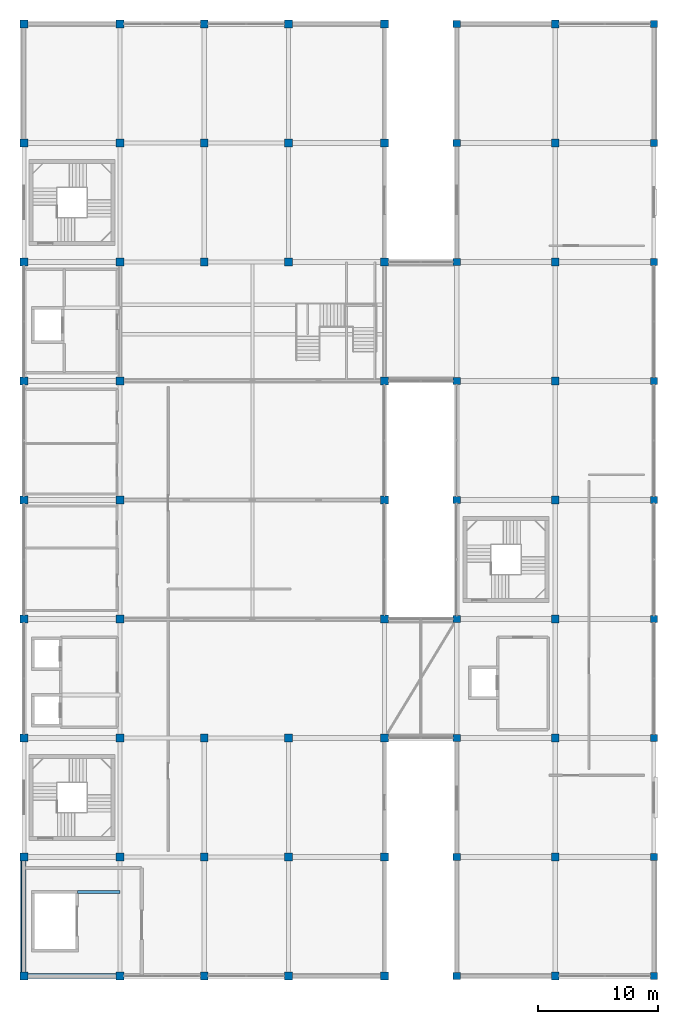
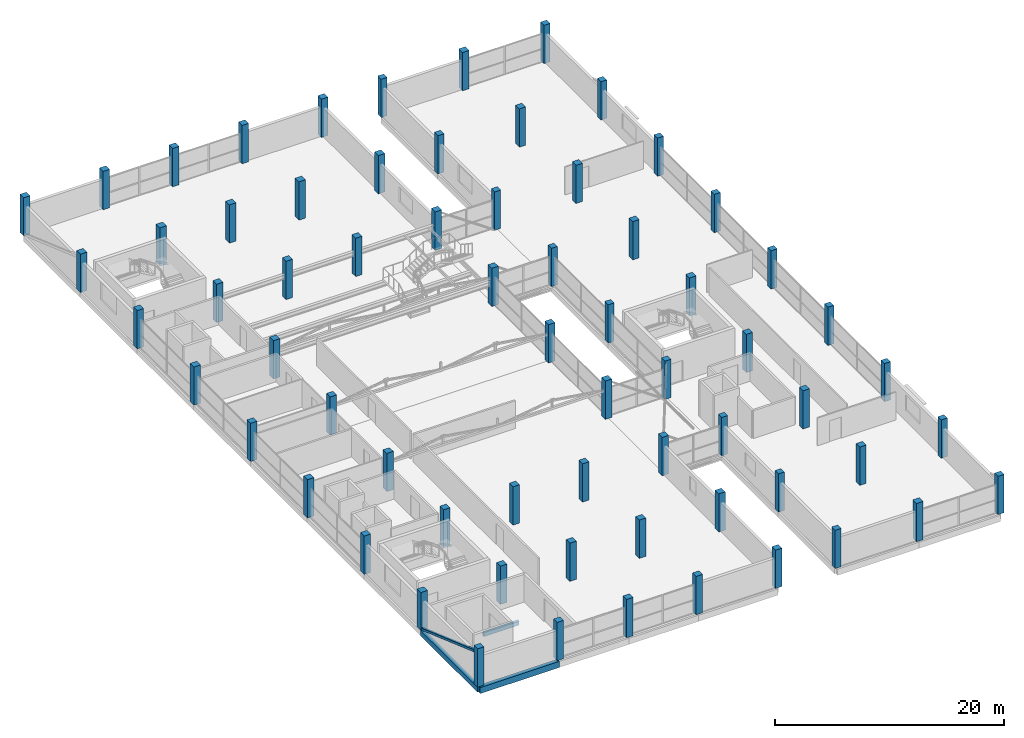
# One storey, part 1 of 70: 66 columns, 3 beams, 1 member.
"""IFC4 building model written with IfcOpenShell, lengths in metres."""

from ifc_helpers import new_model, si_unit, direction, frame, origin, origin_2d, place, context, subcontext, project, spatial, rectangle, hollow_rectangle, extrude, material, material_profile, profile_set, type_object, element, save


model = new_model("IFC4")

# Units and contexts
model_context = context("Model", 3, precision=1e-05, world=origin(), true_north=direction((0.0, 1.0)))
body_context = subcontext(model_context, "Body", "Model", "MODEL_VIEW")
ifc_project = project(units=[si_unit("LENGTHUNIT", "METRE"), si_unit("AREAUNIT", "SQUARE_METRE"), si_unit("VOLUMEUNIT", "CUBIC_METRE"), si_unit("PLANEANGLEUNIT", "RADIAN"), si_unit("MASSUNIT", "GRAM", prefix="KILO")], contexts=[model_context])

# Site, building, storey
site_placement = place(None, origin())
site = spatial("IfcSite", under=ifc_project, at=site_placement, CompositionType="ELEMENT")
building_placement = place(site_placement, origin())
building = spatial("IfcBuilding", under=site, at=building_placement, Name="Sillaruma Civic Art Gallery", CompositionType="ELEMENT")
storey_placement = place(building_placement, frame((0.0, 0.0, 66.300048828125)))
storey = spatial("IfcBuildingStorey", under=building, at=storey_placement, Name="L13", CompositionType="ELEMENT", Elevation=66.300048828125)

# Columns
ifc_material_1 = material(Name="Concrete H40 (40 MPa)", Category="concrete")
ifc_material_profile_1 = material_profile(ifc_material_1, rectangle(XDim=0.60009765625, YDim=0.60009765625, at=origin_2d()), Name="RC600x600")
ifc_profile_set_1 = profile_set([ifc_material_profile_1], Name="Concrete H40 (40 MPa)")
column_type_1 = type_object("IfcColumnType", Name="COL-COLUMN-RC600x600", PredefinedType="COLUMN", material=ifc_profile_set_1)
for number, where, z_axis, x_axis, name in (
    (1, (98.0, 19.800048828125, 0.0), (0.0, 0.0, 1.0), (1.0, 0.0, 0.0), "Column C-08 (L13:L3)"),
    (2, (98.0, 29.699951171875, 0.0), (0.0, 0.0, 1.0), (1.0, 0.0, 0.0), "Column C-08 (L13:L4)"),
    (3, (98.0, 39.60009765625, 0.0), (0.0, 0.0, 1.0), (1.0, 0.0, 0.0), "Column C-08 (L13:L5)"),
    (4, (98.0, 49.5, 0.0), (0.0, 0.0, 1.0), (1.0, 0.0, 0.0), "Column C-08 (L13:L6)"),
    (5, (98.0, 59.39990234375, 0.0), (0.0, 0.0, 1.0), (1.0, 0.0, 0.0), "Column C-08 (L13:L7)"),
    (6, (98.0, 69.300048828125, 0.0), (0.0, 0.0, 1.0), (1.0, 0.0, 0.0), "Column C-08 (L13:L8)"),
    (7, (98.0, 79.199951171875, 0.0), (0.0, 0.0, 1.0), (1.0, 0.0, 0.0), "Column C-08 (L13:L9)"),
    (8, (98.0, 89.10009765625, 0.0), (0.0, 0.0, 1.0), (1.0, 0.0, 0.0), "Column C-08 (L13:L10)"),
    (9, (98.0, 99.0, 0.0), (0.0, 0.0, 1.0), (1.0, 0.0, 0.0), "Column C-08 (L13:L11)"),
    (10, (114.39990234375, 19.800048828125, 0.0), (0.0, 0.0, 1.0), (1.0, 0.0, 0.0), "Column C-08 (L13:N3)"),
    (11, (114.39990234375, 29.699951171875, 0.0), (0.0, 0.0, 1.0), (1.0, 0.0, 0.0), "Column C-08 (L13:N4)"),
    (12, (114.39990234375, 39.60009765625, 0.0), (0.0, 0.0, 1.0), (1.0, 0.0, 0.0), "Column C-08 (L13:N5)"),
    (13, (114.39990234375, 49.5, 0.0), (0.0, 0.0, 1.0), (1.0, 0.0, 0.0), "Column C-08 (L13:N6)"),
    (14, (114.39990234375, 59.39990234375, 0.0), (0.0, 0.0, 1.0), (1.0, 0.0, 0.0), "Column C-08 (L13:N7)"),
    (15, (114.39990234375, 69.300048828125, 0.0), (0.0, 0.0, 1.0), (1.0, 0.0, 0.0), "Column C-08 (L13:N8)"),
    (16, (114.39990234375, 79.199951171875, 0.0), (0.0, 0.0, 1.0), (1.0, 0.0, 0.0), "Column C-08 (L13:N9)"),
    (17, (114.39990234375, 89.10009765625, 0.0), (0.0, 0.0, 1.0), (1.0, 0.0, 0.0), "Column C-08 (L13:N10)"),
    (18, (114.39990234375, 99.0, 0.0), (0.0, 0.0, 1.0), (1.0, 0.0, 0.0), "Column C-08 (L13:N11)"),
):
    element("IfcColumn", number, at=place(storey_placement, frame(where, z_axis=z_axis, x_axis=x_axis)), inside=storey, type_object=column_type_1, Name=name, PredefinedType="COLUMN", context=body_context, shape_type="SweptSolid", body=[
        extrude(rectangle(XDim=0.60009765625, YDim=0.60009765625, at=origin_2d()), origin(), (0.0, 0.0, 1.0), 4.079833984375),
    ])
ifc_material_profile_2 = material_profile(ifc_material_1, rectangle(XDim=0.64990234375, YDim=0.64990234375, at=origin_2d()), Name="RC650x650")
ifc_profile_set_2 = profile_set([ifc_material_profile_2], Name="Concrete H40 (40 MPa)")
column_type_2 = type_object("IfcColumnType", Name="COL-COLUMN-RC650x650", PredefinedType="COLUMN", material=ifc_profile_set_2)
for number, where, z_axis, x_axis, name in (
    (19, (62.0, 19.800048828125, 0.0), (0.0, 0.0, 1.0), (1.0, 0.0, 0.0), "Column C-07 (L13:F3)"),
    (20, (62.0, 29.699951171875, 0.0), (0.0, 0.0, 1.0), (1.0, 0.0, 0.0), "Column C-07 (L13:F4)"),
    (21, (62.0, 39.60009765625, 0.0), (0.0, 0.0, 1.0), (1.0, 0.0, 0.0), "Column C-07 (L13:F5)"),
    (22, (62.0, 49.5, 0.0), (0.0, 0.0, 1.0), (1.0, 0.0, 0.0), "Column C-07 (L13:F6)"),
    (23, (62.0, 59.39990234375, 0.0), (0.0, 0.0, 1.0), (1.0, 0.0, 0.0), "Column C-07 (L13:F7)"),
    (24, (62.0, 69.300048828125, 0.0), (0.0, 0.0, 1.0), (1.0, 0.0, 0.0), "Column C-07 (L13:F8)"),
    (25, (62.0, 79.199951171875, 0.0), (0.0, 0.0, 1.0), (1.0, 0.0, 0.0), "Column C-07 (L13:F9)"),
    (26, (62.0, 89.10009765625, 0.0), (0.0, 0.0, 1.0), (1.0, 0.0, 0.0), "Column C-07 (L13:F10)"),
    (27, (62.0, 99.0, 0.0), (0.0, 0.0, 1.0), (1.0, 0.0, 0.0), "Column C-07 (L13:F11)"),
    (28, (70.0, 19.800048828125, 0.0), (0.0, 0.0, 1.0), (1.0, 0.0, 0.0), "Column C-07 (L13:G3)"),
    (29, (70.0, 29.699951171875, 0.0), (0.0, 0.0, 1.0), (1.0, 0.0, 0.0), "Column C-07 (L13:G4)"),
    (30, (70.0, 39.60009765625, 0.0), (0.0, 0.0, 1.0), (1.0, 0.0, 0.0), "Column C-07 (L13:G5)"),
    (31, (70.0, 49.5, 0.0), (0.0, 0.0, 1.0), (1.0, 0.0, 0.0), "Column C-07 (L13:G6)"),
    (32, (70.0, 59.39990234375, 0.0), (0.0, 0.0, 1.0), (1.0, 0.0, 0.0), "Column C-07 (L13:G7)"),
    (33, (70.0, 69.300048828125, 0.0), (0.0, 0.0, 1.0), (1.0, 0.0, 0.0), "Column C-07 (L13:G8)"),
    (34, (70.0, 79.199951171875, 0.0), (0.0, 0.0, 1.0), (1.0, 0.0, 0.0), "Column C-07 (L13:G9)"),
    (35, (70.0, 89.10009765625, 0.0), (0.0, 0.0, 1.0), (1.0, 0.0, 0.0), "Column C-07 (L13:G10)"),
    (36, (70.0, 99.0, 0.0), (0.0, 0.0, 1.0), (1.0, 0.0, 0.0), "Column C-07 (L13:G11)"),
    (37, (77.0, 19.800048828125, 0.0), (0.0, 0.0, 1.0), (1.0, 0.0, 0.0), "Column C-07 (L13:H3)"),
    (38, (77.0, 29.699951171875, 0.0), (0.0, 0.0, 1.0), (1.0, 0.0, 0.0), "Column C-07 (L13:H4)"),
    (39, (77.0, 39.60009765625, 0.0), (0.0, 0.0, 1.0), (1.0, 0.0, 0.0), "Column C-07 (L13:H5)"),
    (40, (77.0, 79.199951171875, 0.0), (0.0, 0.0, 1.0), (1.0, 0.0, 0.0), "Column C-07 (L13:H9)"),
    (41, (77.0, 89.10009765625, 0.0), (0.0, 0.0, 1.0), (1.0, 0.0, 0.0), "Column C-07 (L13:H10)"),
    (42, (77.0, 99.0, 0.0), (0.0, 0.0, 1.0), (1.0, 0.0, 0.0), "Column C-07 (L13:H11)"),
    (43, (84.0, 19.800048828125, 0.0), (0.0, 0.0, 1.0), (1.0, 0.0, 0.0), "Column C-07 (L13:J3)"),
    (44, (84.0, 29.699951171875, 0.0), (0.0, 0.0, 1.0), (1.0, 0.0, 0.0), "Column C-07 (L13:J4)"),
    (45, (84.0, 39.60009765625, 0.0), (0.0, 0.0, 1.0), (1.0, 0.0, 0.0), "Column C-07 (L13:J5)"),
    (46, (84.0, 79.199951171875, 0.0), (0.0, 0.0, 1.0), (1.0, 0.0, 0.0), "Column C-07 (L13:J9)"),
    (47, (84.0, 89.10009765625, 0.0), (0.0, 0.0, 1.0), (1.0, 0.0, 0.0), "Column C-07 (L13:J10)"),
    (48, (84.0, 99.0, 0.0), (0.0, 0.0, 1.0), (1.0, 0.0, 0.0), "Column C-07 (L13:J11)"),
    (49, (92.0, 19.800048828125, 0.0), (0.0, 0.0, 1.0), (1.0, 0.0, 0.0), "Column C-07 (L13:K3)"),
    (50, (92.0, 29.699951171875, 0.0), (0.0, 0.0, 1.0), (1.0, 0.0, 0.0), "Column C-07 (L13:K4)"),
    (51, (92.0, 39.60009765625, 0.0), (0.0, 0.0, 1.0), (1.0, 0.0, 0.0), "Column C-07 (L13:K5)"),
    (52, (92.0, 49.5, 0.0), (0.0, 0.0, 1.0), (1.0, 0.0, 0.0), "Column C-07 (L13:K6)"),
    (53, (92.0, 59.39990234375, 0.0), (0.0, 0.0, 1.0), (1.0, 0.0, 0.0), "Column C-07 (L13:K7)"),
    (54, (92.0, 69.300048828125, 0.0), (0.0, 0.0, 1.0), (1.0, 0.0, 0.0), "Column C-07 (L13:K8)"),
    (55, (92.0, 79.199951171875, 0.0), (0.0, 0.0, 1.0), (1.0, 0.0, 0.0), "Column C-07 (L13:K9)"),
    (56, (92.0, 89.10009765625, 0.0), (0.0, 0.0, 1.0), (1.0, 0.0, 0.0), "Column C-07 (L13:K10)"),
    (57, (92.0, 99.0, 0.0), (0.0, 0.0, 1.0), (1.0, 0.0, 0.0), "Column C-07 (L13:K11)"),
    (58, (106.199951171875, 19.800048828125, 0.0), (0.0, 0.0, 1.0), (1.0, 0.0, 0.0), "Column C-07 (L13:M3)"),
    (59, (106.199951171875, 29.699951171875, 0.0), (0.0, 0.0, 1.0), (1.0, 0.0, 0.0), "Column C-07 (L13:M4)"),
    (60, (106.199951171875, 39.60009765625, 0.0), (0.0, 0.0, 1.0), (1.0, 0.0, 0.0), "Column C-07 (L13:M5)"),
    (61, (106.199951171875, 49.5, 0.0), (0.0, 0.0, 1.0), (1.0, 0.0, 0.0), "Column C-07 (L13:M6)"),
    (62, (106.199951171875, 59.39990234375, 0.0), (0.0, 0.0, 1.0), (1.0, 0.0, 0.0), "Column C-07 (L13:M7)"),
    (63, (106.199951171875, 69.300048828125, 0.0), (0.0, 0.0, 1.0), (1.0, 0.0, 0.0), "Column C-07 (L13:M8)"),
    (64, (106.199951171875, 79.199951171875, 0.0), (0.0, 0.0, 1.0), (1.0, 0.0, 0.0), "Column C-07 (L13:M9)"),
    (65, (106.199951171875, 89.10009765625, 0.0), (0.0, 0.0, 1.0), (1.0, 0.0, 0.0), "Column C-07 (L13:M10)"),
    (66, (106.199951171875, 99.0, 0.0), (0.0, 0.0, 1.0), (1.0, 0.0, 0.0), "Column C-07 (L13:M11)"),
):
    element("IfcColumn", number, at=place(storey_placement, frame(where, z_axis=z_axis, x_axis=x_axis)), inside=storey, type_object=column_type_2, Name=name, PredefinedType="COLUMN", context=body_context, shape_type="SweptSolid", body=[
        extrude(rectangle(XDim=0.64990234375, YDim=0.64990234375, at=origin_2d()), origin(), (0.0, 0.0, 1.0), 4.079833984375),
    ])

# Beams
ifc_material_2 = material(Name="Concrete H35 (35 MPa)", Category="concrete")
ifc_material_profile_3 = material_profile(ifc_material_2, rectangle(XDim=0.260009765625, YDim=0.419921875, at=origin_2d()), Name="RCB260x420")
ifc_profile_set_3 = profile_set([ifc_material_profile_3], Name="Concrete H35 (35 MPa)")
beam_type_1 = type_object("IfcBeamType", Name="BM-LINTEL-RCB260x420", PredefinedType="LINTEL", material=ifc_profile_set_3)
beam_1_placement = place(storey_placement, frame((66.449951171875, 26.780029296875, -0.43994140625), z_axis=(1.0, 0.0, 0.0), x_axis=(0.0, 1.0, 0.0)))
element("IfcBeam", 67, at=beam_1_placement, inside=storey, type_object=beam_type_1, Name="Core Portal Coupling Lintel BL-02 (L12:GL1)", PredefinedType="LINTEL", context=body_context, shape_type="SweptSolid", body=[
    extrude(rectangle(XDim=0.260009765625, YDim=0.419921875, at=origin_2d()), origin(), (0.0, 0.0, 1.0), 3.550048828125),
])
ifc_material_profile_4 = material_profile(ifc_material_2, rectangle(XDim=0.35009765625, YDim=0.550048828125, at=origin_2d()), Name="RCB350x550")
ifc_profile_set_4 = profile_set([ifc_material_profile_4], Name="Concrete H35 (35 MPa)")
beam_type_2 = type_object("IfcBeamType", Name="BM-SPANDREL-RCB350x550", PredefinedType="SPANDREL", material=ifc_profile_set_4)
beam_2_placement = place(storey_placement, frame((62.0, 19.800048828125, -0.505126953125), z_axis=(0.0, 1.0, 0.0), x_axis=(-1.0, 0.0, 0.0)))
element("IfcBeam", 68, at=beam_2_placement, inside=storey, type_object=beam_type_2, Name="Beam BS-04 (L12:F:3-4)", PredefinedType="SPANDREL", context=body_context, shape_type="SweptSolid", body=[
    extrude(rectangle(XDim=0.35009765625, YDim=0.550048828125, at=origin_2d()), origin(), (0.0, 0.0, 1.0), 9.89990234375),
])
ifc_material_profile_5 = material_profile(ifc_material_2, rectangle(XDim=0.39990234375, YDim=0.64990234375, at=origin_2d()), Name="RCB400x650")
ifc_profile_set_5 = profile_set([ifc_material_profile_5], Name="Concrete H35 (35 MPa)")
beam_type_3 = type_object("IfcBeamType", Name="BM-SPANDREL-RCB400x650", PredefinedType="SPANDREL", material=ifc_profile_set_5)
beam_3_placement = place(storey_placement, frame((62.0, 19.800048828125, -0.554931640625), z_axis=(1.0, 0.0, 0.0), x_axis=(0.0, 1.0, 0.0)))
element("IfcBeam", 69, at=beam_3_placement, inside=storey, type_object=beam_type_3, Name="Beam BS-02 (L12:3:F-G)", PredefinedType="SPANDREL", context=body_context, shape_type="SweptSolid", body=[
    extrude(rectangle(XDim=0.39990234375, YDim=0.64990234375, at=origin_2d()), origin(), (0.0, 0.0, 1.0), 8.0),
])

# Member
ifc_material_3 = material(Name="Structural Steel ASTM A500 Gr.C", Category="steel")
ifc_material_profile_6 = material_profile(ifc_material_3, hollow_rectangle(XDim=0.25, YDim=0.25, WallThickness=0.012451171875, InnerFilletRadius=0.012451171875, OuterFilletRadius=0.02490234375, at=origin_2d()), Name="HSS250x250x12.5")
ifc_profile_set_6 = profile_set([ifc_material_profile_6], Name="Structural Steel ASTM A500 Gr.C")
member_type = type_object("IfcMemberType", Name="MEM-MEGA-BRACE", PredefinedType="BRACE", material=ifc_profile_set_6)
member_placement = place(storey_placement, frame((61.85009765625, 29.52001953125, 0.099853515625), z_axis=(0.0, -0.942584834579, 0.33396680916), x_axis=(1.0, 0.0, 0.0)))
element("IfcMember", 70, at=member_placement, inside=storey, type_object=member_type, Name="Exterior Expressed Gallery Seismic Diagonal Brace (L13-WS)", PredefinedType="BRACE", context=body_context, shape_type="SweptSolid", body=[
    extrude(hollow_rectangle(XDim=0.25, YDim=0.25, WallThickness=0.012451171875, InnerFilletRadius=0.012451171875, OuterFilletRadius=0.02490234375, at=origin_2d()), origin(), (0.0, 0.0, 1.0), 10.12109375),
])

save(model, "model.ifc")
